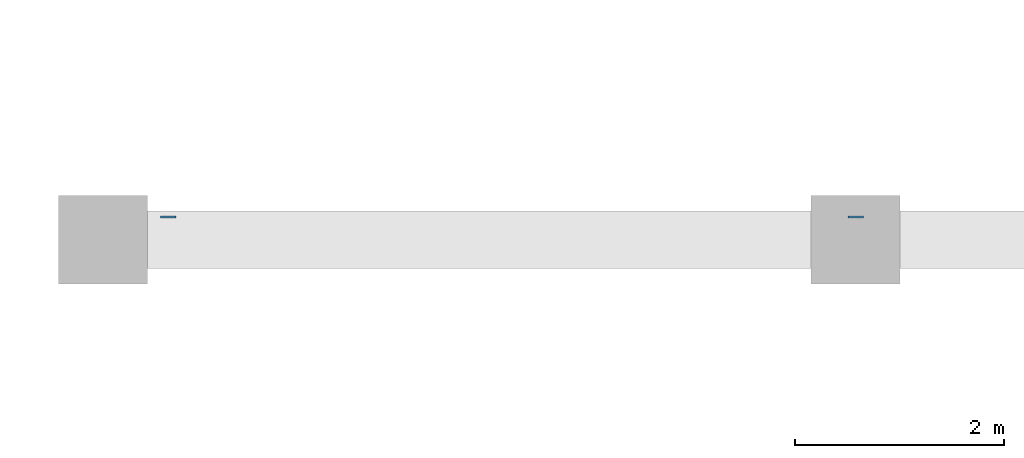
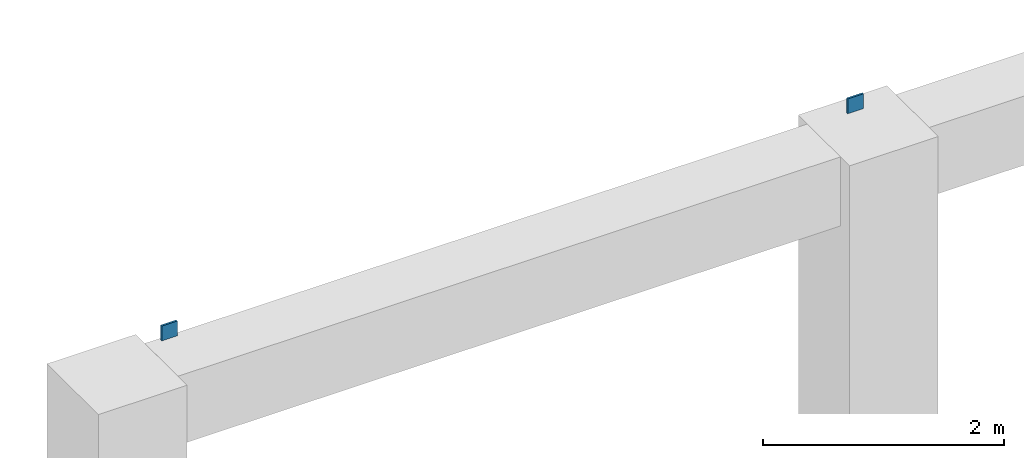
# One storey, part 39 of 48: 2 discrete accessories.
"""IFC4 building model written with IfcOpenShell, lengths in metres."""

from ifc_helpers import new_model, si_unit, direction, frame, origin, origin_2d, place, context, subcontext, project, spatial, rectangle, extrude, material, element, save


model = new_model("IFC4")

# Units and contexts
model_context = context("Model", 3, precision=1e-05, world=origin(), true_north=direction((0.0, 1.0)))
body_context = subcontext(model_context, "Body", "Model", "MODEL_VIEW")
ifc_project = project(units=[si_unit("LENGTHUNIT", "METRE"), si_unit("AREAUNIT", "SQUARE_METRE"), si_unit("VOLUMEUNIT", "CUBIC_METRE"), si_unit("PLANEANGLEUNIT", "RADIAN"), si_unit("MASSUNIT", "GRAM", prefix="KILO")], contexts=[model_context])

# Site, building, storey
site_placement = place(None, origin())
site = spatial("IfcSite", under=ifc_project, at=site_placement, CompositionType="ELEMENT")
building_placement = place(site_placement, origin())
building = spatial("IfcBuilding", under=site, at=building_placement, Name="Silangan Lancet Faculty of Sciences", CompositionType="ELEMENT")
storey_placement = place(building_placement, frame((0.0, 0.0, 6.0)))
storey = spatial("IfcBuildingStorey", under=building, at=storey_placement, Name="L01", CompositionType="ELEMENT", Elevation=6.0)

# Discrete accessories
ifc_material = material(Name="Steel STKR400", Category="steel")
for number, where, z_axis, x_axis, name in (
    (1, (51.02490234375, 21.820068359375, 5.420166015625), (0.0, 0.0, 1.0), (1.0, 0.0, 0.0), "Truss 1 bottom chord cap"),
    (2, (57.60009765625, 21.820068359375, 5.420166015625), (0.0, 0.0, 1.0), (1.0, 0.0, 0.0), "Truss 2 bottom chord cap"),
):
    element("IfcDiscreteAccessory", number, at=place(storey_placement, frame(where, z_axis=z_axis, x_axis=x_axis)), inside=storey, material=ifc_material, Name=name, ObjectType="END CAP", PredefinedType="USERDEFINED", context=body_context, shape_type="SweptSolid", body=[
        extrude(rectangle(XDim=0.14990234375, YDim=0.02001953125, at=origin_2d()), origin(), (0.0, 0.0, 1.0), 0.14990234375),
    ])

save(model, "model.ifc")
